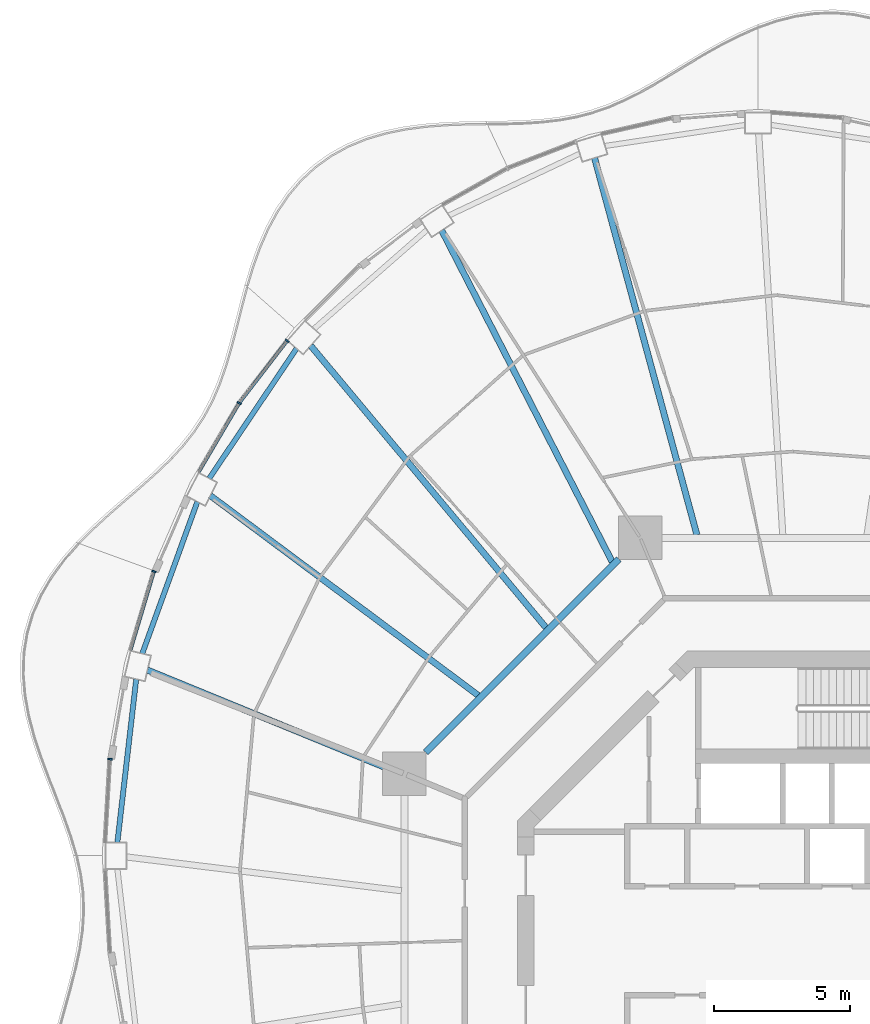
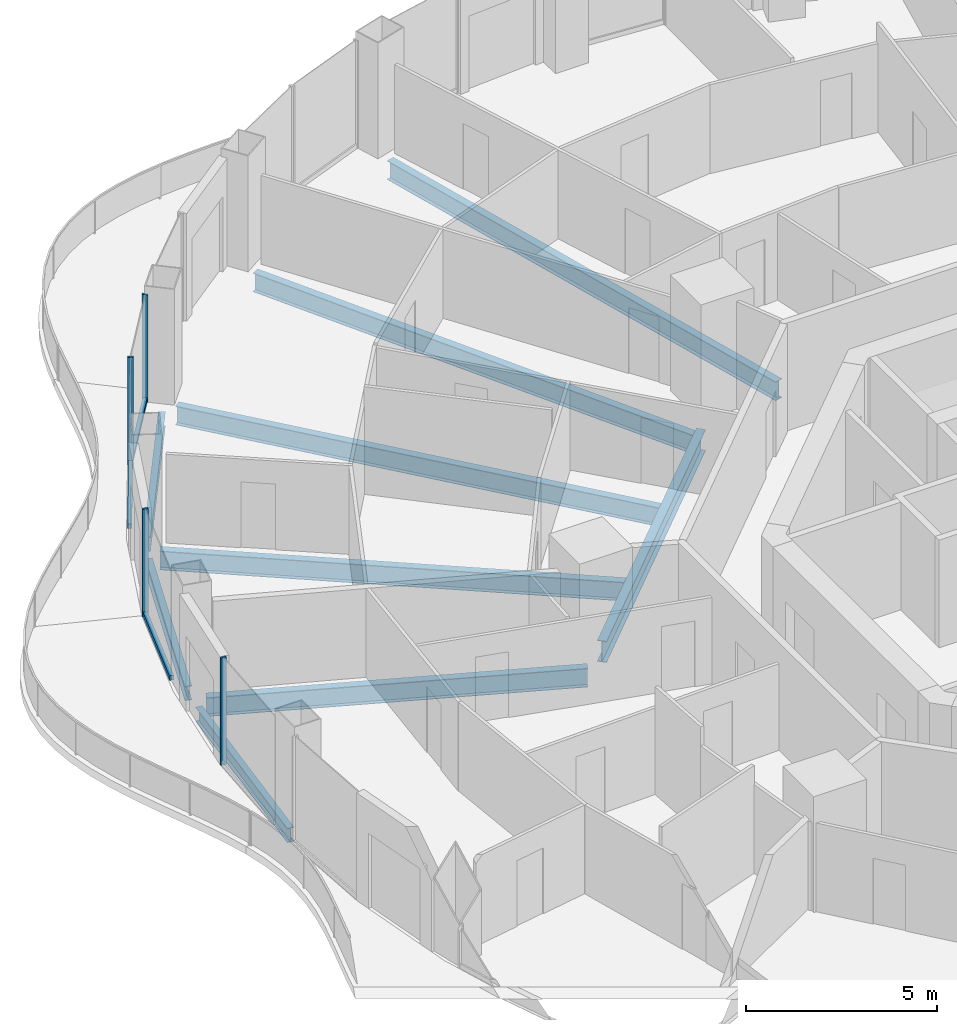
# One storey, part 5 of 18: 9 beams, 7 members, 4 elements without a shape of their own.
"""IFC4 building model written with IfcOpenShell, lengths in metres."""

from ifc_helpers import new_model, si_unit, direction, frame, origin, origin_2d, place, context, subcontext, project, spatial, rectangle, i_section, extrude, material, layer, layer_set, material_profile, profile_set, type_object, element, aggregate, save


model = new_model("IFC4")

# Units and contexts
model_context = context("Model", 3, precision=1e-05, world=origin(), true_north=direction((0.0, 1.0)))
body_context = subcontext(model_context, "Body", "Model", "MODEL_VIEW")
ifc_project = project(units=[si_unit("LENGTHUNIT", "METRE"), si_unit("AREAUNIT", "SQUARE_METRE"), si_unit("VOLUMEUNIT", "CUBIC_METRE"), si_unit("PLANEANGLEUNIT", "RADIAN"), si_unit("MASSUNIT", "GRAM", prefix="KILO")], contexts=[model_context])

# Site, building, storey
site_placement = place(None, origin())
site = spatial("IfcSite", under=ifc_project, at=site_placement, CompositionType="ELEMENT")
building_placement = place(site_placement, origin())
building = spatial("IfcBuilding", under=site, at=building_placement, Name="Nagisa Residences", CompositionType="ELEMENT")
storey_placement = place(building_placement, frame((0.0, 0.0, 215.89990234375)))
storey = spatial("IfcBuildingStorey", under=building, at=storey_placement, Name="L54", CompositionType="ELEMENT", Elevation=215.89990234375)

# Curtain wall, member
ifc_material_1 = material(Name="Concrete-coloured aluminium curtain wall system", Category="concrete")
ifc_layer = layer(ifc_material_1, 0.159912109375)
ifc_layer_set = layer_set([ifc_layer], Name="CW1 CURTAIN WALL")
curtain_wall_type = type_object("IfcCurtainWallType", Name="CW1 CURTAIN WALL", PredefinedType="NOTDEFINED", material=ifc_layer_set)
curtain_wall_1_placement = place(storey_placement, origin())
curtain_wall_1 = element("IfcCurtainWall", 1, at=curtain_wall_1_placement, inside=storey, type_object=curtain_wall_type, Name="cw:CW1:L54:18", PredefinedType="NOTDEFINED")
ifc_material_2 = material(Name="Concrete-coloured aluminium", Category="concrete")
ifc_material_profile_1 = material_profile(ifc_material_2, rectangle(XDim=0.159912109375, YDim=0.06005859375, at=origin_2d()), Name="CW1 MULLION 160x60")
ifc_profile_set_1 = profile_set([ifc_material_profile_1], Name="Concrete-coloured aluminium")
member_type_1 = type_object("IfcMemberType", Name="CW1 MULLION 160x60", PredefinedType="MULLION", material=ifc_profile_set_1)
member_1_placement = place(storey_placement, frame((-19.080322265625, 22.0166015625, 0.0), z_axis=(0.0, 0.0, 1.0), x_axis=(0.792070340816, -0.610429828235, 0.0)))
member_1 = element("IfcMember", 2, at=member_1_placement, type_object=member_type_1, Name="CW1 mullion", PredefinedType="MULLION", context=body_context, shape_type="SweptSolid", body=[
    extrude(rectangle(XDim=0.159912109375, YDim=0.06005859375, at=origin_2d()), origin(), (0.0, 0.0, 1.0), 3.440185546875),
])

curtain_wall_2_placement = place(storey_placement, origin())
curtain_wall_2 = element("IfcCurtainWall", 3, at=curtain_wall_2_placement, inside=storey, type_object=curtain_wall_type, Name="cw:CW1:L54:19", PredefinedType="NOTDEFINED")
member_2_placement = place(storey_placement, frame((-20.84228515625, 19.725341796875, 0.0), z_axis=(0.0, 0.0, 1.0), x_axis=(0.862328898214, -0.506348567002, 0.0)))
member_2 = element("IfcMember", 4, at=member_2_placement, type_object=member_type_1, Name="CW1 mullion", PredefinedType="MULLION", context=body_context, shape_type="SweptSolid", body=[
    extrude(rectangle(XDim=0.159912109375, YDim=0.06005859375, at=origin_2d()), origin(), (0.0, 0.0, 1.0), 3.440185546875),
])

curtain_wall_3_placement = place(storey_placement, origin())
curtain_wall_3 = element("IfcCurtainWall", 5, at=curtain_wall_3_placement, inside=storey, type_object=curtain_wall_type, Name="cw:CW1:L54:21", PredefinedType="NOTDEFINED")
member_3_placement = place(storey_placement, frame((-23.9697265625, 13.5478515625, 0.0), z_axis=(0.0, 0.0, 1.0), x_axis=(0.958271310082, -0.285860274038, 0.0)))
member_3 = element("IfcMember", 6, at=member_3_placement, type_object=member_type_1, Name="CW1 mullion", PredefinedType="MULLION", context=body_context, shape_type="SweptSolid", body=[
    extrude(rectangle(XDim=0.159912109375, YDim=0.06005859375, at=origin_2d()), origin(), (0.0, 0.0, 1.0), 3.440185546875),
])

curtain_wall_4_placement = place(storey_placement, origin())
curtain_wall_4 = element("IfcCurtainWall", 7, at=curtain_wall_4_placement, inside=storey, type_object=curtain_wall_type, Name="cw:CW1:L54:23", PredefinedType="NOTDEFINED")
member_4_placement = place(storey_placement, frame((-25.5859375, 6.658203125, 0.0), z_axis=(0.0, 0.0, 1.0), x_axis=(0.998345305184, -0.057503492216, 0.0)))
member_4 = element("IfcMember", 8, at=member_4_placement, type_object=member_type_1, Name="CW1 mullion", PredefinedType="MULLION", context=body_context, shape_type="SweptSolid", body=[
    extrude(rectangle(XDim=0.159912109375, YDim=0.06005859375, at=origin_2d()), origin(), (0.0, 0.0, 1.0), 3.440185546875),
])
aggregate(curtain_wall_4, [member_4])

# Member
ifc_material_3 = material(Name="Concrete-coloured aluminium", Category="concrete")
ifc_material_profile_2 = material_profile(ifc_material_3, rectangle(XDim=0.1201171875, YDim=0.14990234375, at=origin_2d()), Name="CW1 TRANSOM 120x150")
ifc_profile_set_2 = profile_set([ifc_material_profile_2], Name="Concrete-coloured aluminium")
member_type_2 = type_object("IfcMemberType", Name="CW1 TRANSOM 120x150", PredefinedType="USERDEFINED", material=ifc_profile_set_2)
member_5_placement = place(storey_placement, frame((-19.06201171875, 22.04052734375, 0.0751953125), z_axis=(-0.610438565676, -0.792063607001, 0.0), x_axis=(0.792063607001, -0.610438565676, 0.0)))
member_5 = element("IfcMember", 9, at=member_5_placement, type_object=member_type_2, Name="CW1 transom", ObjectType="TRANSOM", PredefinedType="USERDEFINED", context=body_context, shape_type="SweptSolid", body=[
    extrude(rectangle(XDim=0.1201171875, YDim=0.14990234375, at=origin_2d()), origin(), (0.0, 0.0, 1.0), 2.90087890625),
])

aggregate(curtain_wall_1, [member_1, member_5])

member_6_placement = place(storey_placement, frame((-20.8271484375, 19.751220703125, 0.0751953125), z_axis=(-0.506294090973, -0.862360883532, 0.0), x_axis=(0.862360883532, -0.506294090973, 0.0)))
member_6 = element("IfcMember", 10, at=member_6_placement, type_object=member_type_2, Name="CW1 transom", ObjectType="TRANSOM", PredefinedType="USERDEFINED", context=body_context, shape_type="SweptSolid", body=[
    extrude(rectangle(XDim=0.1201171875, YDim=0.14990234375, at=origin_2d()), origin(), (0.0, 0.0, 1.0), 2.95458984375),
])

aggregate(curtain_wall_2, [member_2, member_6])

member_7_placement = place(storey_placement, frame((-23.961181640625, 13.576416015625, 0.0751953125), z_axis=(-0.285881452443, -0.958264992134, 0.0), x_axis=(0.958264992134, -0.285881452443, 0.0)))
member_7 = element("IfcMember", 11, at=member_7_placement, type_object=member_type_2, Name="CW1 transom", ObjectType="TRANSOM", PredefinedType="USERDEFINED", context=body_context, shape_type="SweptSolid", body=[
    extrude(rectangle(XDim=0.1201171875, YDim=0.14990234375, at=origin_2d()), origin(), (0.0, 0.0, 1.0), 3.040283203125),
])

aggregate(curtain_wall_3, [member_3, member_7])

# Beams
ifc_material_4 = material(Name="Steel ASTM A572 Gr 50", Category="steel")
ifc_material_profile_3 = material_profile(ifc_material_4, i_section(OverallWidth=0.2529296875, OverallDepth=0.677978515625, WebThickness=0.01171875, FlangeThickness=0.016357421875, at=origin_2d()), Name="W690x125")
ifc_profile_set_3 = profile_set([ifc_material_profile_3], Name="Steel ASTM A572 Gr 50")
beam_type_1 = type_object("IfcBeamType", Name="Inner ring beam W690x125", PredefinedType="BEAM", material=ifc_profile_set_3)
beam_1_placement = place(storey_placement, frame((-6.90869140625, 13.99609375, -0.598876953125), z_axis=(-0.707106781187, -0.707106781187, 0.0), x_axis=(0.707106781187, -0.707106781187, 0.0)))
element("IfcBeam", 12, at=beam_1_placement, inside=storey, type_object=beam_type_1, Name="beam:L54:ib3", PredefinedType="BEAM", context=body_context, shape_type="SweptSolid", body=[
    extrude(i_section(OverallWidth=0.2529296875, OverallDepth=0.677978515625, WebThickness=0.01171875, FlangeThickness=0.016357421875, at=origin_2d()), origin(), (0.0, 0.0, 1.0), 10.023193359375),
])
ifc_material_5 = material(Name="Steel ASTM A572 Gr 50", Category="steel")
ifc_material_profile_4 = material_profile(ifc_material_5, i_section(OverallWidth=0.18994140625, OverallDepth=0.45703125, WebThickness=0.009033203125, FlangeThickness=0.014404296875, at=origin_2d()), Name="W460x74")
ifc_profile_set_4 = profile_set([ifc_material_profile_4], Name="Steel ASTM A572 Gr 50")
beam_type_2 = type_object("IfcBeamType", Name="Perimeter ring beam W460x74", PredefinedType="BEAM", material=ifc_profile_set_4)
beam_2_placement = place(storey_placement, frame((-18.73681640625, 21.72998046875, -0.48828125), z_axis=(-0.558079852096, -0.829787249049, 0.0), x_axis=(0.829787249049, -0.558079852096, 0.0)))
element("IfcBeam", 13, at=beam_2_placement, inside=storey, type_object=beam_type_2, Name="beam:L54:pb10", PredefinedType="BEAM", context=body_context, shape_type="SweptSolid", body=[
    extrude(i_section(OverallWidth=0.18994140625, OverallDepth=0.45703125, WebThickness=0.009033203125, FlangeThickness=0.014404296875, at=origin_2d()), origin(), (0.0, 0.0, 1.0), 5.743408203125),
])
beam_3_placement = place(storey_placement, frame((-22.377197265625, 16.108154296875, -0.48828125), z_axis=(-0.34127712749, -0.939962723863, 0.0), x_axis=(0.939962723863, -0.34127712749, 0.0)))
element("IfcBeam", 14, at=beam_3_placement, inside=storey, type_object=beam_type_2, Name="beam:L54:pb11", PredefinedType="BEAM", context=body_context, shape_type="SweptSolid", body=[
    extrude(i_section(OverallWidth=0.18994140625, OverallDepth=0.45703125, WebThickness=0.009033203125, FlangeThickness=0.014404296875, at=origin_2d()), origin(), (0.0, 0.0, 1.0), 5.9326171875),
])
beam_4_placement = place(storey_placement, frame((-24.622314453125, 9.59716796875, -0.48828125), z_axis=(-0.114650193512, -0.993405925656, 0.0), x_axis=(0.993405925656, -0.114650193512, 0.0)))
element("IfcBeam", 15, at=beam_4_placement, inside=storey, type_object=beam_type_2, Name="beam:L54:pb12", PredefinedType="BEAM", context=body_context, shape_type="SweptSolid", body=[
    extrude(i_section(OverallWidth=0.18994140625, OverallDepth=0.45703125, WebThickness=0.009033203125, FlangeThickness=0.014404296875, at=origin_2d()), origin(), (0.0, 0.0, 1.0), 6.0390625),
])
ifc_material_6 = material(Name="Steel ASTM A572 Gr 50", Category="steel")
ifc_material_profile_5 = material_profile(ifc_material_6, i_section(OverallWidth=0.22802734375, OverallDepth=0.60302734375, WebThickness=0.010498046875, FlangeThickness=0.014892578125, at=origin_2d()), Name="W610x101")
ifc_profile_set_5 = profile_set([ifc_material_profile_5], Name="Steel ASTM A572 Gr 50")
beam_type_3 = type_object("IfcBeamType", Name="Radial beam W610x101", PredefinedType="BEAM", material=ifc_profile_set_5)
beam_5_placement = place(storey_placement, frame((-7.80078125, 28.724609375, -0.5615234375), z_axis=(0.26207978084, -0.965046210539, 0.0), x_axis=(0.965046210539, 0.26207978084, 0.0)))
element("IfcBeam", 16, at=beam_5_placement, inside=storey, type_object=beam_type_3, Name="beam:L54:rb08", PredefinedType="BEAM", context=body_context, shape_type="SweptSolid", body=[
    extrude(i_section(OverallWidth=0.22802734375, OverallDepth=0.60302734375, WebThickness=0.010498046875, FlangeThickness=0.014892578125, at=origin_2d()), origin(), (0.0, 0.0, 1.0), 14.336669921875),
])
beam_6_placement = place(storey_placement, frame((-13.41015625, 26.065185546875, -0.5615234375), z_axis=(0.457487565814, -0.889216018257, 0.0), x_axis=(0.889216018257, 0.457487565814, 0.0)))
element("IfcBeam", 17, at=beam_6_placement, inside=storey, type_object=beam_type_3, Name="beam:L54:rb09", PredefinedType="BEAM", context=body_context, shape_type="SweptSolid", body=[
    extrude(i_section(OverallWidth=0.22802734375, OverallDepth=0.60302734375, WebThickness=0.010498046875, FlangeThickness=0.014892578125, at=origin_2d()), origin(), (0.0, 0.0, 1.0), 13.676513671875),
])
beam_7_placement = place(storey_placement, frame((-18.219970703125, 21.83642578125, -0.5615234375), z_axis=(0.64065600401, -0.767828030568, 0.0), x_axis=(0.767828030568, 0.64065600401, 0.0)))
element("IfcBeam", 18, at=beam_7_placement, inside=storey, type_object=beam_type_3, Name="beam:L54:rb10", PredefinedType="BEAM", context=body_context, shape_type="SweptSolid", body=[
    extrude(i_section(OverallWidth=0.22802734375, OverallDepth=0.60302734375, WebThickness=0.010498046875, FlangeThickness=0.014892578125, at=origin_2d()), origin(), (0.0, 0.0, 1.0), 13.490234375),
])
beam_8_placement = place(storey_placement, frame((-21.90283203125, 16.33203125, -0.5615234375), z_axis=(0.801674643351, -0.597760626177, 0.0), x_axis=(0.597760626177, 0.801674643351, 0.0)))
element("IfcBeam", 19, at=beam_8_placement, inside=storey, type_object=beam_type_3, Name="beam:L54:rb11", PredefinedType="BEAM", context=body_context, shape_type="SweptSolid", body=[
    extrude(i_section(OverallWidth=0.22802734375, OverallDepth=0.60302734375, WebThickness=0.010498046875, FlangeThickness=0.014892578125, at=origin_2d()), origin(), (0.0, 0.0, 1.0), 12.275634765625),
])
beam_9_placement = place(storey_placement, frame((-24.210693359375, 9.93115234375, -0.5615234375), z_axis=(0.925188691773, -0.379507423663, 0.0), x_axis=(0.379507423663, 0.925188691773, 0.0)))
element("IfcBeam", 20, at=beam_9_placement, inside=storey, type_object=beam_type_3, Name="beam:L54:rb12", PredefinedType="BEAM", context=body_context, shape_type="SweptSolid", body=[
    extrude(i_section(OverallWidth=0.22802734375, OverallDepth=0.60302734375, WebThickness=0.010498046875, FlangeThickness=0.014892578125, at=origin_2d()), origin(), (0.0, 0.0, 1.0), 10.07421875),
])

save(model, "model.ifc")
